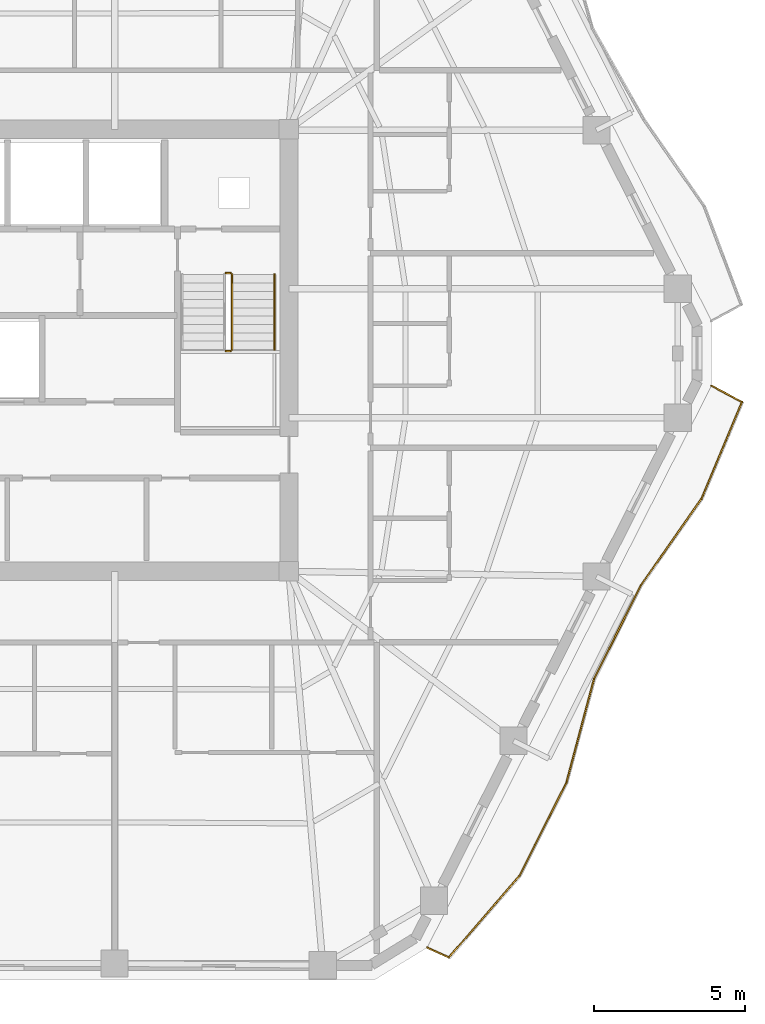
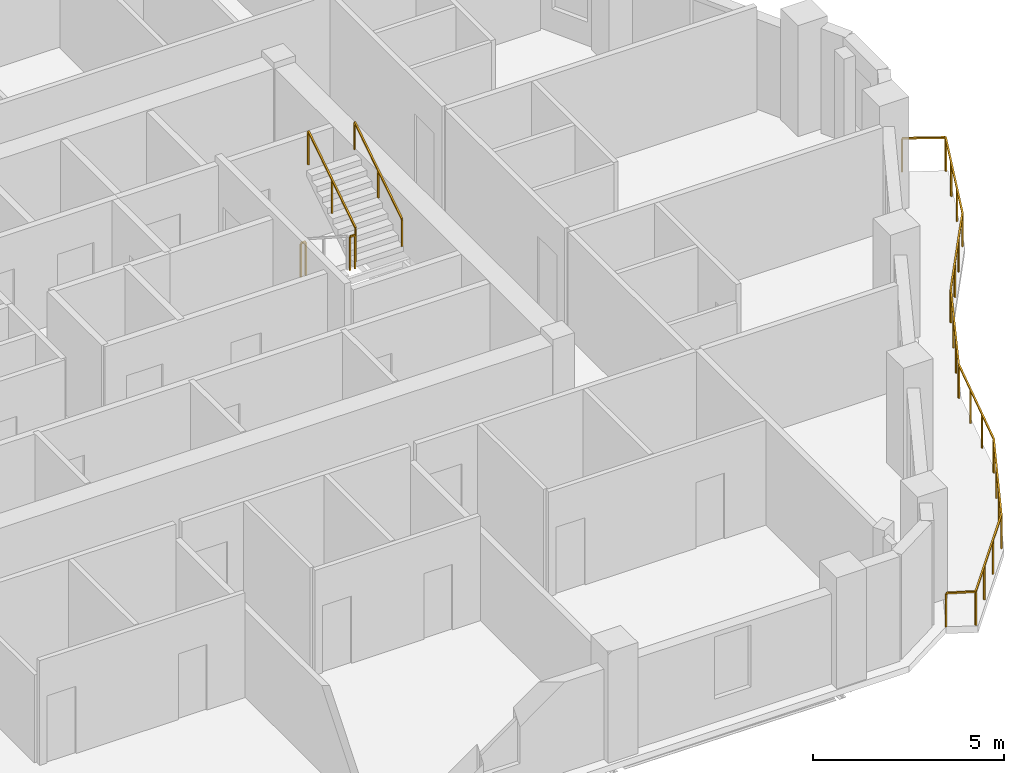
# One storey, part 11 of 12: 5 railings.
"""IFC4 building model written with IfcOpenShell, lengths in metres."""

from ifc_helpers import new_model, si_unit, direction, frame, origin, origin_2d, place, context, subcontext, project, spatial, rectangle, extrude, material, type_object, element, save


model = new_model("IFC4")

# Units and contexts
model_context = context("Model", 3, precision=1e-05, world=origin(), true_north=direction((0.0, 1.0)))
body_context = subcontext(model_context, "Body", "Model", "MODEL_VIEW")
ifc_project = project(units=[si_unit("LENGTHUNIT", "METRE"), si_unit("AREAUNIT", "SQUARE_METRE"), si_unit("VOLUMEUNIT", "CUBIC_METRE"), si_unit("PLANEANGLEUNIT", "RADIAN"), si_unit("MASSUNIT", "GRAM", prefix="KILO")], contexts=[model_context])

# Site, building, storey
site_placement = place(None, origin())
site = spatial("IfcSite", under=ifc_project, at=site_placement, CompositionType="ELEMENT")
building_placement = place(site_placement, origin())
building = spatial("IfcBuilding", under=site, at=building_placement, Name="Cinnabar Lancet Tower", CompositionType="ELEMENT")
storey_placement = place(building_placement, frame((0.0, 0.0, 189.64990234375)))
storey = spatial("IfcBuildingStorey", under=building, at=storey_placement, Name="L50", CompositionType="ELEMENT", Elevation=189.64990234375)

# Railings
ifc_material_1 = material(Name="Laminated safety glass and bronze stainless steel balustrade", Category="steel")
railing_type_1 = type_object("IfcRailingType", Name="ENV-RLG-BAL-1100", PredefinedType="BALUSTRADE", material=ifc_material_1)
railing_1_placement = place(storey_placement, frame((46.27001953125, 6.1708984375, 0.0)))
element("IfcRailing", 1, at=railing_1_placement, inside=storey, type_object=railing_type_1, Name="L50 Face 2 Wave Balcony Balustrade", PredefinedType="BALUSTRADE", context=body_context, shape_type="SweptSolid", body=[
    extrude(rectangle(XDim=0.048095703125, YDim=0.048095703125, at=origin_2d()), frame((0.0, 0.0, 1.076171875), z_axis=(0.910142488395, -0.414295366639, 0.0), x_axis=(0.414295366639, 0.910142488395, 0.0)), (0.0, 0.0, 1.0), 0.784423828125),
    extrude(rectangle(XDim=0.048095703125, YDim=0.048095703125, at=origin_2d()), frame((0.7138671875, -0.324951171875, 1.076171875), z_axis=(0.654473929078, 0.756084569448, 0.0), x_axis=(-0.756084569448, 0.654473929078, 0.0)), (0.0, 0.0, 1.0), 3.563232421875),
    extrude(rectangle(XDim=0.048095703125, YDim=0.048095703125, at=origin_2d()), frame((3.0458984375, 2.369140625, 1.076171875), z_axis=(0.449303141324, 0.893379363538, 0.0), x_axis=(-0.893379363538, 0.449303141324, 0.0)), (0.0, 0.0, 1.0), 3.456298828125),
    extrude(rectangle(XDim=0.048095703125, YDim=0.048095703125, at=origin_2d()), frame((4.598876953125, 5.45703125, 1.076171875), z_axis=(0.25766265056, 0.966234939601, 0.0), x_axis=(-0.966234939601, 0.25766265056, 0.0)), (0.0, 0.0, 1.0), 3.532470703125),
    extrude(rectangle(XDim=0.048095703125, YDim=0.048095703125, at=origin_2d()), frame((5.509033203125, 8.8701171875, 1.076171875), z_axis=(0.446846132104, 0.894610828363, 0.0), x_axis=(-0.894610828363, 0.446846132104, 0.0)), (0.0, 0.0, 1.0), 3.455322265625),
    extrude(rectangle(XDim=0.048095703125, YDim=0.048095703125, at=origin_2d()), frame((7.052978515625, 11.961181640625, 1.076171875), z_axis=(0.573790877204, 0.819001849349, 0.0), x_axis=(-0.819001849349, 0.573790877204, 0.0)), (0.0, 0.0, 1.0), 3.49072265625),
    extrude(rectangle(XDim=0.048095703125, YDim=0.048095703125, at=origin_2d()), frame((9.055908203125, 14.820068359375, 1.076171875), z_axis=(0.386239807099, 0.922398401675, 0.0), x_axis=(-0.922398401675, 0.386239807099, 0.0)), (0.0, 0.0, 1.0), 3.467041015625),
    extrude(rectangle(XDim=0.048095703125, YDim=0.048095703125, at=origin_2d()), frame((10.39501953125, 18.01806640625, 1.076171875), z_axis=(-0.881286154222, 0.472583023791, 0.0), x_axis=(-0.472583023791, -0.881286154222, 0.0)), (0.0, 0.0, 1.0), 1.142822265625),
    extrude(rectangle(XDim=0.0419921875, YDim=0.0419921875, at=origin_2d()), origin(), (0.0, 0.0, 1.0), 1.052001953125),
    extrude(rectangle(XDim=0.0419921875, YDim=0.0419921875, at=origin_2d()), frame((0.7138671875, -0.324951171875, 0.0)), (0.0, 0.0, 1.0), 1.052001953125),
    extrude(rectangle(XDim=0.0419921875, YDim=0.0419921875, at=origin_2d()), frame((1.4912109375, 0.572998046875, 0.0)), (0.0, 0.0, 1.0), 1.052001953125),
    extrude(rectangle(XDim=0.0419921875, YDim=0.0419921875, at=origin_2d()), frame((2.2685546875, 1.47119140625, 0.0)), (0.0, 0.0, 1.0), 1.052001953125),
    extrude(rectangle(XDim=0.0419921875, YDim=0.0419921875, at=origin_2d()), frame((3.0458984375, 2.369140625, 0.0)), (0.0, 0.0, 1.0), 1.052001953125),
    extrude(rectangle(XDim=0.0419921875, YDim=0.0419921875, at=origin_2d()), frame((3.5634765625, 3.3984375, 0.0)), (0.0, 0.0, 1.0), 1.052001953125),
    extrude(rectangle(XDim=0.0419921875, YDim=0.0419921875, at=origin_2d()), frame((4.081298828125, 4.427734375, 0.0)), (0.0, 0.0, 1.0), 1.052001953125),
    extrude(rectangle(XDim=0.0419921875, YDim=0.0419921875, at=origin_2d()), frame((4.598876953125, 5.45703125, 0.0)), (0.0, 0.0, 1.0), 1.052001953125),
    extrude(rectangle(XDim=0.0419921875, YDim=0.0419921875, at=origin_2d()), frame((4.90234375, 6.5947265625, 0.0)), (0.0, 0.0, 1.0), 1.052001953125),
    extrude(rectangle(XDim=0.0419921875, YDim=0.0419921875, at=origin_2d()), frame((5.20556640625, 7.732421875, 0.0)), (0.0, 0.0, 1.0), 1.052001953125),
    extrude(rectangle(XDim=0.0419921875, YDim=0.0419921875, at=origin_2d()), frame((5.509033203125, 8.8701171875, 0.0)), (0.0, 0.0, 1.0), 1.052001953125),
    extrude(rectangle(XDim=0.0419921875, YDim=0.0419921875, at=origin_2d()), frame((6.023681640625, 9.900390625, 0.0)), (0.0, 0.0, 1.0), 1.052001953125),
    extrude(rectangle(XDim=0.0419921875, YDim=0.0419921875, at=origin_2d()), frame((6.538330078125, 10.930908203125, 0.0)), (0.0, 0.0, 1.0), 1.052001953125),
    extrude(rectangle(XDim=0.0419921875, YDim=0.0419921875, at=origin_2d()), frame((7.052978515625, 11.961181640625, 0.0)), (0.0, 0.0, 1.0), 1.052001953125),
    extrude(rectangle(XDim=0.0419921875, YDim=0.0419921875, at=origin_2d()), frame((7.720703125, 12.9140625, 0.0)), (0.0, 0.0, 1.0), 1.052001953125),
    extrude(rectangle(XDim=0.0419921875, YDim=0.0419921875, at=origin_2d()), frame((8.38818359375, 13.8671875, 0.0)), (0.0, 0.0, 1.0), 1.052001953125),
    extrude(rectangle(XDim=0.0419921875, YDim=0.0419921875, at=origin_2d()), frame((9.055908203125, 14.820068359375, 0.0)), (0.0, 0.0, 1.0), 1.052001953125),
    extrude(rectangle(XDim=0.0419921875, YDim=0.0419921875, at=origin_2d()), frame((9.502197265625, 15.885986328125, 0.0)), (0.0, 0.0, 1.0), 1.052001953125),
    extrude(rectangle(XDim=0.0419921875, YDim=0.0419921875, at=origin_2d()), frame((9.94873046875, 16.9521484375, 0.0)), (0.0, 0.0, 1.0), 1.052001953125),
    extrude(rectangle(XDim=0.0419921875, YDim=0.0419921875, at=origin_2d()), frame((10.39501953125, 18.01806640625, 0.0)), (0.0, 0.0, 1.0), 1.052001953125),
    extrude(rectangle(XDim=0.0419921875, YDim=0.0419921875, at=origin_2d()), frame((9.387939453125, 18.55810546875, 0.0)), (0.0, 0.0, 1.0), 1.052001953125),
])
ifc_material_2 = material(Name="Painted galvanized steel balustrade", Category="steel")
railing_type_2 = type_object("IfcRailingType", Name="GUARD-STAIR", PredefinedType="GUARDRAIL", material=ifc_material_2)
railing_2_placement = place(storey_placement, frame((39.625, 25.875, 1.775146484375)))
element("IfcRailing", 2, at=railing_2_placement, inside=storey, type_object=railing_type_2, Name="L50 ST-2 stair guard 2", PredefinedType="GUARDRAIL", context=body_context, shape_type="SweptSolid", body=[
    extrude(rectangle(XDim=0.048095703125, YDim=0.048095703125, at=origin_2d()), frame((0.0, 0.0, 1.076171875), z_axis=(1.0, 0.0, 0.0), x_axis=(0.0, 1.0, 0.0)), (0.0, 0.0, 1.0), 0.14990234375),
    extrude(rectangle(XDim=0.0419921875, YDim=0.0419921875, at=origin_2d()), origin(), (0.0, 0.0, 1.0), 1.052001953125),
    extrude(rectangle(XDim=0.0419921875, YDim=0.0419921875, at=origin_2d()), frame((0.14990234375, 0.0, 0.0)), (0.0, 0.0, 1.0), 1.052001953125),
])
railing_3_placement = place(storey_placement, frame((39.824951171875, 25.925048828125, 1.95263671875)))
element("IfcRailing", 3, at=railing_3_placement, inside=storey, type_object=railing_type_2, Name="L50 ST-2 stair guard 3", PredefinedType="GUARDRAIL", context=body_context, shape_type="SweptSolid", body=[
    extrude(rectangle(XDim=0.048095703125, YDim=0.048095703125, at=origin_2d()), frame((0.0, 0.0, 1.076171875), z_axis=(0.0, 0.840183358697, 0.542302428327), x_axis=(-1.0, 0.0, 0.0)), (0.0, 0.0, 1.0), 2.945556640625),
    extrude(rectangle(XDim=0.0419921875, YDim=0.0419921875, at=origin_2d()), origin(), (0.0, 0.0, 1.0), 1.052001953125),
    extrude(rectangle(XDim=0.0419921875, YDim=0.0419921875, at=origin_2d()), frame((0.0, 1.2373046875, 0.798828125)), (0.0, 0.0, 1.0), 1.052001953125),
    extrude(rectangle(XDim=0.0419921875, YDim=0.0419921875, at=origin_2d()), frame((0.0, 2.474853515625, 1.597412109375)), (0.0, 0.0, 1.0), 1.052001953125),
])
railing_4_placement = place(storey_placement, frame((39.625, 28.449951171875, 0.0)))
element("IfcRailing", 4, at=railing_4_placement, inside=storey, type_object=railing_type_2, Name="L50 ST-2 stair guard 4", PredefinedType="GUARDRAIL", context=body_context, shape_type="SweptSolid", body=[
    extrude(rectangle(XDim=0.048095703125, YDim=0.048095703125, at=origin_2d()), frame((0.0, 0.0, 1.076171875), z_axis=(1.0, 0.0, 0.0), x_axis=(0.0, 1.0, 0.0)), (0.0, 0.0, 1.0), 0.14990234375),
    extrude(rectangle(XDim=0.0419921875, YDim=0.0419921875, at=origin_2d()), origin(), (0.0, 0.0, 1.0), 1.052001953125),
    extrude(rectangle(XDim=0.0419921875, YDim=0.0419921875, at=origin_2d()), frame((0.14990234375, 0.0, 0.0)), (0.0, 0.0, 1.0), 1.052001953125),
])
ifc_material_3 = material(Name="Brushed stainless steel handrail", Category="steel")
railing_type_3 = type_object("IfcRailingType", Name="HANDRAIL-STAIR", PredefinedType="HANDRAIL", material=ifc_material_3)
railing_5_placement = place(storey_placement, frame((41.22509765625, 25.925048828125, 1.95263671875)))
element("IfcRailing", 5, at=railing_5_placement, inside=storey, type_object=railing_type_3, Name="L50 ST-2 stair handrail 2", PredefinedType="HANDRAIL", context=body_context, shape_type="SweptSolid", body=[
    extrude(rectangle(XDim=0.048095703125, YDim=0.048095703125, at=origin_2d()), frame((0.0, 0.0, 0.8759765625), z_axis=(0.0, 0.840183358697, 0.542302428327), x_axis=(-1.0, 0.0, 0.0)), (0.0, 0.0, 1.0), 2.945556640625),
    extrude(rectangle(XDim=0.0419921875, YDim=0.0419921875, at=origin_2d()), origin(), (0.0, 0.0, 1.0), 0.851806640625),
    extrude(rectangle(XDim=0.0419921875, YDim=0.0419921875, at=origin_2d()), frame((0.0, 1.2373046875, 0.798828125)), (0.0, 0.0, 1.0), 0.851806640625),
    extrude(rectangle(XDim=0.0419921875, YDim=0.0419921875, at=origin_2d()), frame((0.0, 2.474853515625, 1.597412109375)), (0.0, 0.0, 1.0), 0.851806640625),
])

save(model, "model.ifc")
